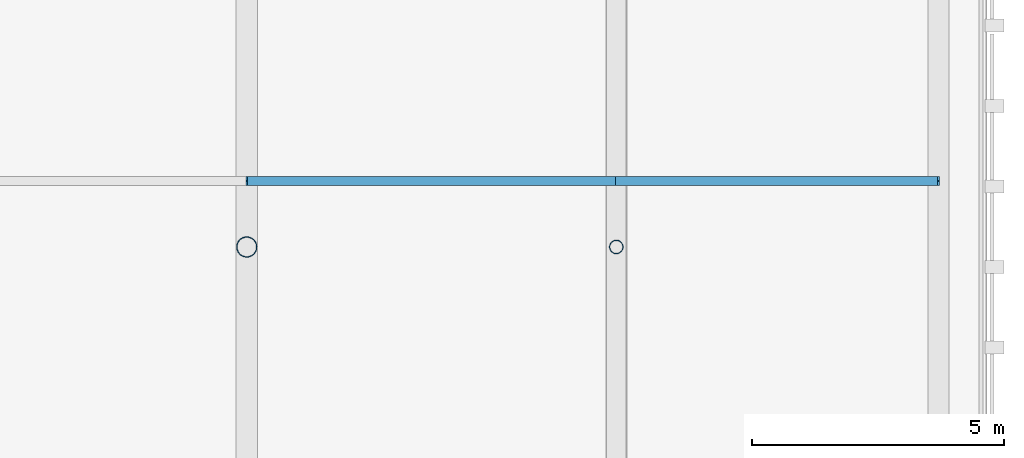
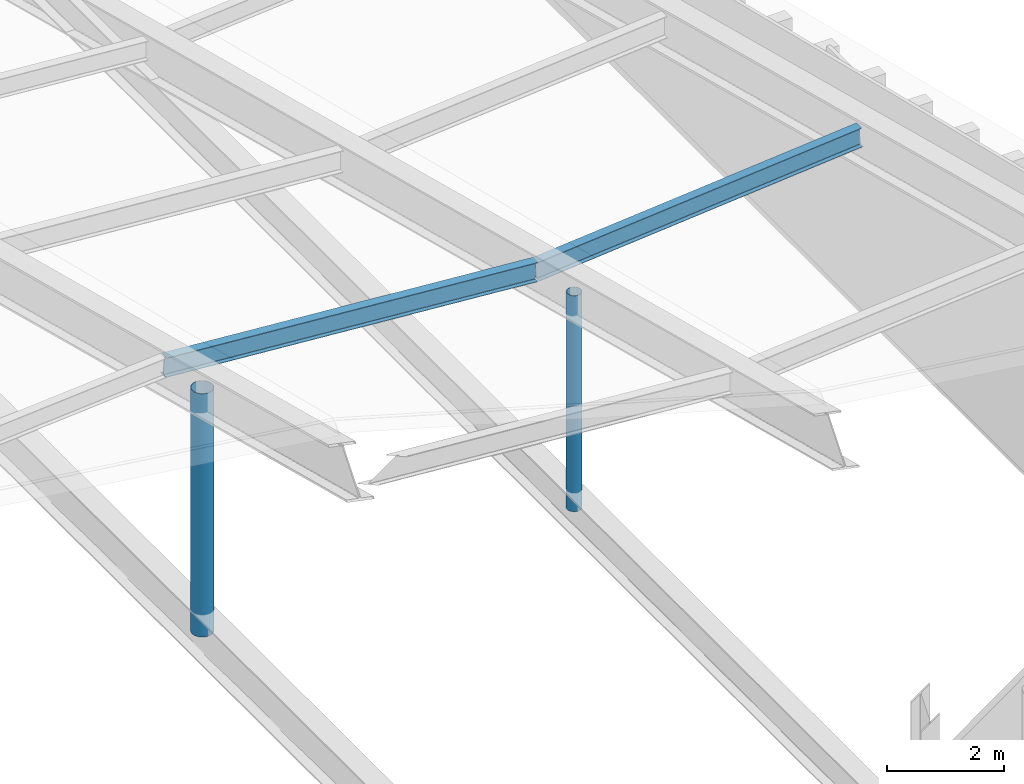
# One storey, part 5 of 8: 4 members.
"""IFC4 building model written with IfcOpenShell, lengths in metres."""

from ifc_helpers import new_model, si_unit, direction, frame, origin, origin_2d, place, context, subcontext, project, spatial, hollow_circle, i_section, extrude, material, material_profile, profile_set, type_object, element, save


model = new_model("IFC4")

# Units and contexts
model_context = context("Model", 3, precision=1e-05, world=origin(), true_north=direction((0.0, 1.0)))
body_context = subcontext(model_context, "Body", "Model", "MODEL_VIEW")
ifc_project = project(units=[si_unit("LENGTHUNIT", "METRE"), si_unit("AREAUNIT", "SQUARE_METRE"), si_unit("VOLUMEUNIT", "CUBIC_METRE"), si_unit("PLANEANGLEUNIT", "RADIAN"), si_unit("MASSUNIT", "GRAM", prefix="KILO")], contexts=[model_context])

# Site, building, storey
site_placement = place(None, origin())
site = spatial("IfcSite", under=ifc_project, at=site_placement, CompositionType="ELEMENT")
building_placement = place(site_placement, origin())
building = spatial("IfcBuilding", under=site, at=building_placement, Name="Trimount Lyric Opera House", CompositionType="ELEMENT")
storey_placement = place(building_placement, frame((0.0, 0.0, 34.199951171875)))
storey = spatial("IfcBuildingStorey", under=building, at=storey_placement, Name="RF", CompositionType="ELEMENT", Elevation=34.199951171875)

# Members
ifc_material_1 = material(Name="Steel ASTM A992 Grade 50", Category="steel")
ifc_material_profile_1 = material_profile(ifc_material_1, i_section(OverallWidth=0.177978515625, OverallDepth=0.404052734375, WebThickness=0.007568359375, FlangeThickness=0.010986328125, FilletRadius=0.010009765625, at=origin_2d()), Name="W16X36")
ifc_profile_set_1 = profile_set([ifc_material_profile_1], Name="Steel ASTM A992 Grade 50")
member_type_1 = type_object("IfcMemberType", Name="PR-01", PredefinedType="CHORD", material=ifc_profile_set_1)
member_1_placement = place(storey_placement, frame((100.005615234375, 97.31201171875, 4.78466796875), z_axis=(0.996995257509, 0.0, -0.077462613592), x_axis=(0.0, 1.0, 0.0)))
element("IfcMember", 1, at=member_1_placement, inside=storey, type_object=member_type_1, Name="Fly-tower roof purlin 6.2", PredefinedType="CHORD", context=body_context, shape_type="SweptSolid", body=[
    extrude(i_section(OverallWidth=0.177978515625, OverallDepth=0.404052734375, WebThickness=0.007568359375, FlangeThickness=0.010986328125, FilletRadius=0.010009765625, at=origin_2d()), origin(), (0.0, 0.0, 1.0), 7.359375),
])
member_2_placement = place(storey_placement, frame((107.3427734375, 97.31201171875, 4.214599609375), z_axis=(0.996053023158, 0.0, 0.088760211009), x_axis=(0.0, 1.0, 0.0)))
element("IfcMember", 2, at=member_2_placement, inside=storey, type_object=member_type_1, Name="Fly-tower roof purlin 7.2", PredefinedType="CHORD", context=body_context, shape_type="SweptSolid", body=[
    extrude(i_section(OverallWidth=0.177978515625, OverallDepth=0.404052734375, WebThickness=0.007568359375, FlangeThickness=0.010986328125, FilletRadius=0.010009765625, at=origin_2d()), origin(), (0.0, 0.0, 1.0), 6.422607421875),
])
ifc_material_2 = material(Name="Steel ASTM A500 Grade C", Category="steel")
ifc_material_profile_2 = material_profile(ifc_material_2, hollow_circle(Radius=0.203125, WallThickness=0.01171875, at=origin_2d()), Name="HSS406.4X12.7")
ifc_profile_set_2 = profile_set([ifc_material_profile_2], Name="Steel ASTM A500 Grade C")
member_type_2 = type_object("IfcMemberType", Name="SR-01", PredefinedType="STRUT", material=ifc_profile_set_2)
member_3_placement = place(storey_placement, frame((100.005615234375, 96.0, 0.050048828125), z_axis=(0.0, 0.0, 1.0), x_axis=(1.0, 0.0, 0.0)))
element("IfcMember", 3, at=member_3_placement, inside=storey, type_object=member_type_2, Name="Fly-tower roof king strut 6", PredefinedType="STRUT", context=body_context, shape_type="SweptSolid", body=[
    extrude(hollow_circle(Radius=0.203125, WallThickness=0.01171875, at=origin_2d()), origin(), (0.0, 0.0, 1.0), 5.07470703125),
])
ifc_material_3 = material(Name="Steel ASTM A500 Grade C", Category="steel")
ifc_material_profile_3 = material_profile(ifc_material_3, hollow_circle(Radius=0.136474609375, WallThickness=0.0087890625, at=origin_2d()), Name="HSS273.1X9.5")
ifc_profile_set_3 = profile_set([ifc_material_profile_3], Name="Steel ASTM A500 Grade C")
member_type_3 = type_object("IfcMemberType", Name="SR-02", PredefinedType="STRUT", material=ifc_profile_set_3)
member_4_placement = place(storey_placement, frame((107.3427734375, 96.0, 0.050048828125), z_axis=(0.0, 0.0, 1.0), x_axis=(1.0, 0.0, 0.0)))
element("IfcMember", 4, at=member_4_placement, inside=storey, type_object=member_type_3, Name="Fly-tower roof king strut 7", PredefinedType="STRUT", context=body_context, shape_type="SweptSolid", body=[
    extrude(hollow_circle(Radius=0.136474609375, WallThickness=0.0087890625, at=origin_2d()), origin(), (0.0, 0.0, 1.0), 4.504638671875),
])

save(model, "model.ifc")
